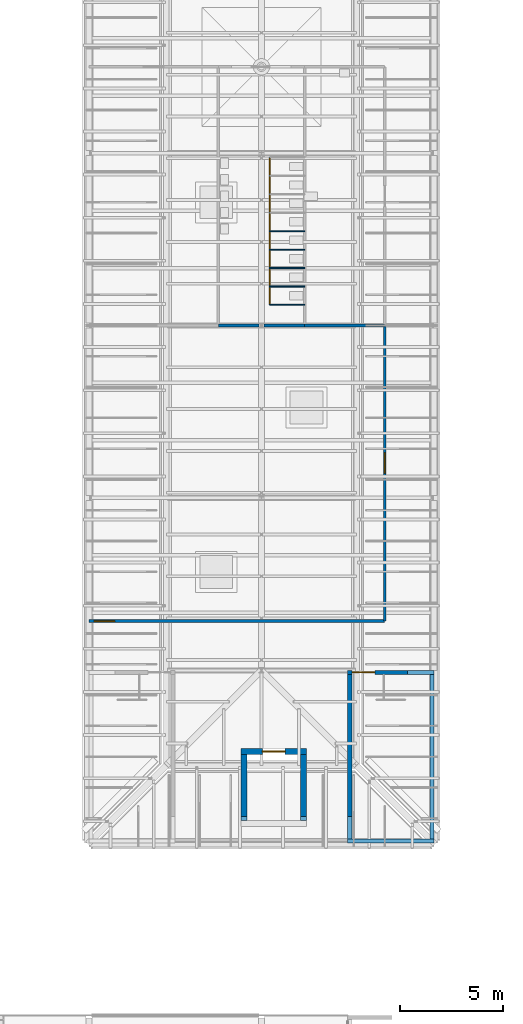
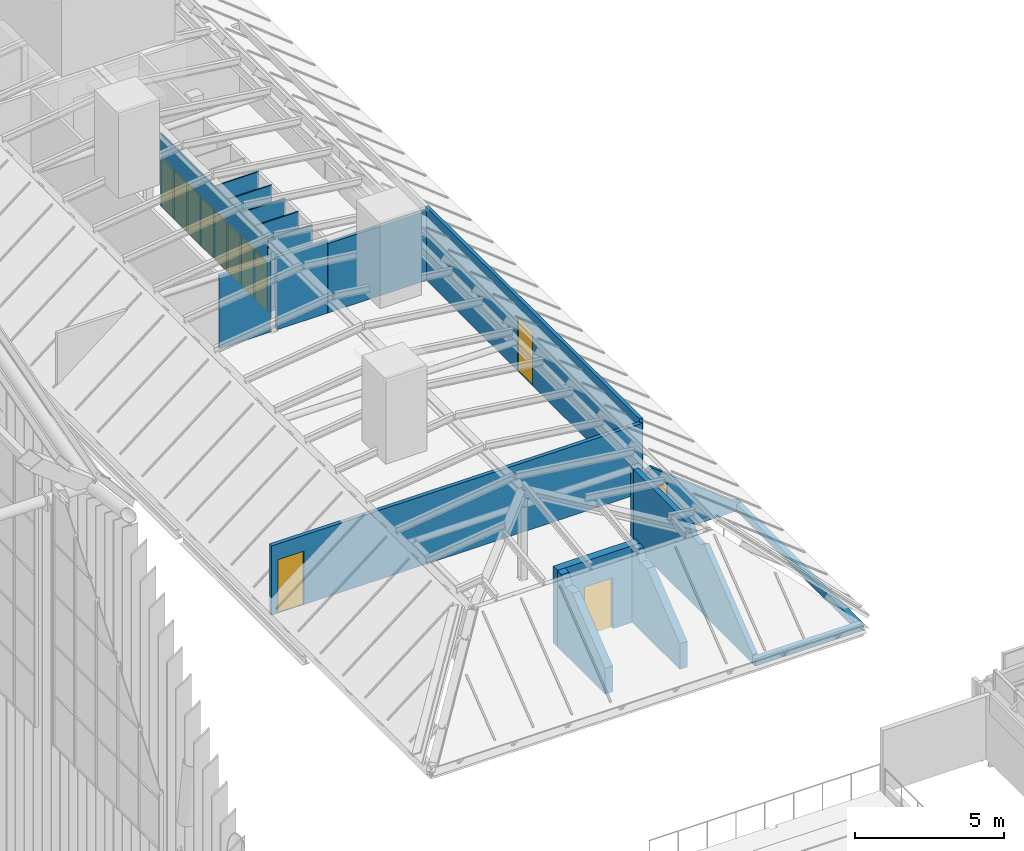
# One storey, part 81 of 126: 18 walls, 12 doors, 12 openings.
"""IFC4 building model written with IfcOpenShell, lengths in metres."""

import ifcopenshell
import ifcopenshell.guid

model = None  # the IFC model being written
_history = None  # IfcOwnerHistory: only IFC2X3 demands one
_inside = {}  # id of a spatial element -> (the spatial element, [elements in it])
_under = {}  # id of a project, library or spatial element -> (it, [spatial elements below it])
_declared = {}  # id of a project -> (the project, [libraries it declares])
_typed = {}  # id of a type object -> (the type object, [elements of that type])
_made_of = {}  # id of a material, layer set ... -> (it, [elements and type objects made of it])


def new_model(schema):
    """Start an empty IFC model of exactly this schema.

    Asked for "IFC4X3", IfcOpenShell would pick the latest addendum, in which some entities
    have other attributes; the version numbers below select the first issue.
    IFC2X3 requires an IfcOwnerHistory on every rooted entity: one is made here for all.
    """
    global model, _history
    if schema == "IFC4X3":
        model = ifcopenshell.file(schema_version=(4, 3, 0, 0))
    else:
        model = ifcopenshell.file(schema=schema)
    _inside.clear()
    _under.clear()
    _declared.clear()
    _typed.clear()
    _made_of.clear()
    _history = None
    if model.schema == "IFC2X3":
        org = make("IfcOrganization", Name="unknown")
        user = make(
            "IfcPersonAndOrganization",
            ThePerson=make("IfcPerson", FamilyName="unknown"),
            TheOrganization=org,
        )
        app = make(
            "IfcApplication",
            ApplicationDeveloper=org,
            Version="unknown",
            ApplicationFullName="unknown",
            ApplicationIdentifier="unknown",
        )
        _history = make(
            "IfcOwnerHistory",
            OwningUser=user,
            OwningApplication=app,
            ChangeAction="ADDED",
            CreationDate=0,
        )
    return model


def make(cls, **values):
    """One entity of the class cls with the attributes given. An attribute that is None is left unset."""
    return model.create_entity(
        cls, **{name: value for name, value in values.items() if value is not None}
    )


def rooted(cls, **values):
    """An entity with a GlobalId (a new one), such as an element, a storey or a relation."""
    return make(cls, GlobalId=ifcopenshell.guid.new(), OwnerHistory=_history, **values)


def si_unit(unit_type, name, prefix=None):
    """IfcSIUnit, for example si_unit("LENGTHUNIT", "METRE", prefix="MILLI")."""
    return make("IfcSIUnit", UnitType=unit_type, Prefix=prefix, Name=name)


def assignment(units):
    """IfcUnitAssignment: the units of a project."""
    return None if units is None else make("IfcUnitAssignment", Units=units)


def point(xyz):
    """IfcCartesianPoint."""
    return None if xyz is None else make("IfcCartesianPoint", Coordinates=xyz)


def direction(xyz):
    """IfcDirection."""
    return None if xyz is None else make("IfcDirection", DirectionRatios=xyz)


def frame(location, z_axis=None, x_axis=None):
    """IfcAxis2Placement3D, a coordinate frame: its origin and axes. An axis left out is left unset."""
    return make(
        "IfcAxis2Placement3D",
        Location=point(location),
        Axis=direction(z_axis),
        RefDirection=direction(x_axis),
    )


def frame_2d(location, x_axis=None):
    """IfcAxis2Placement2D, a coordinate frame in the plane: its origin and x axis."""
    return make(
        "IfcAxis2Placement2D", Location=point(location), RefDirection=direction(x_axis)
    )


def origin():
    """The frame at (0, 0, 0) with its axes left unset."""
    return frame((0.0, 0.0, 0.0))


def place(relative_to, where):
    """IfcLocalPlacement: puts the frame where relative to a parent placement (None: the world)."""
    return make(
        "IfcLocalPlacement", PlacementRelTo=relative_to, RelativePlacement=where
    )


def context(
    kind, dimensions, precision=None, world=None, true_north=None, identifier=None
):
    """IfcGeometricRepresentationContext, for example the 3D "Model" context."""
    return make(
        "IfcGeometricRepresentationContext",
        ContextIdentifier=identifier,
        ContextType=kind,
        CoordinateSpaceDimension=dimensions,
        Precision=precision,
        WorldCoordinateSystem=world,
        TrueNorth=true_north,
    )


def subcontext(parent, identifier, kind, view, scale=None):
    """IfcGeometricRepresentationSubContext, for example "Body" below "Model"."""
    return make(
        "IfcGeometricRepresentationSubContext",
        ContextIdentifier=identifier,
        ContextType=kind,
        ParentContext=parent,
        TargetScale=scale,
        TargetView=view,
    )


def project(units=None, contexts=None):
    """IfcProject with its units and contexts."""
    return rooted(
        "IfcProject",
        Name="project",
        RepresentationContexts=contexts,
        UnitsInContext=assignment(units),
    )


def spatial(cls, under=None, at=None, **own):
    """A site, building, storey or space (cls), placed at a placement, below another one or the project."""
    s = rooted(cls, ObjectPlacement=at, **own)
    if under is not None:
        _under.setdefault(under.id(), (under, []))[1].append(s)
    return s


def polyline(points):
    """IfcPolyline through the points."""
    return make("IfcPolyline", Points=[point(p) for p in points])


def profile(cls, at=None, kind="AREA", **sizes):
    """A parametric profile (cls). Its sizes go by their IFC names, for example OverallWidth=200.0."""
    return make(cls, ProfileType=kind, Position=at, **sizes)


def rectangle(**sizes):
    """IfcRectangleProfileDef."""
    return profile("IfcRectangleProfileDef", **sizes)


def outline(outer, holes=None, kind="AREA"):
    """IfcArbitraryClosedProfileDef: a profile drawn as a closed curve; with holes, ...WithVoids."""
    if holes is None:
        return make("IfcArbitraryClosedProfileDef", ProfileType=kind, OuterCurve=outer)
    return make(
        "IfcArbitraryProfileDefWithVoids",
        ProfileType=kind,
        OuterCurve=outer,
        InnerCurves=holes,
    )


def extrude(swept, where, along, depth):
    """IfcExtrudedAreaSolid: the profile swept, set in the frame where, extruded along a direction by depth."""
    return make(
        "IfcExtrudedAreaSolid",
        SweptArea=swept,
        Position=where,
        ExtrudedDirection=direction(along),
        Depth=depth,
    )


def shape(context_of_items, identifier, shape_type, items):
    """IfcShapeRepresentation: the items that make up one representation, for example the "Body"."""
    return make(
        "IfcShapeRepresentation",
        ContextOfItems=context_of_items,
        RepresentationIdentifier=identifier,
        RepresentationType=shape_type,
        Items=items,
    )


def material(Name=None, Category=None):
    """IfcMaterial."""
    return make("IfcMaterial", Name=Name, Category=Category)


def layer(
    of_material, thickness, ventilated=None, Name=None, Category=None, Priority=None
):
    """IfcMaterialLayer: one layer of a wall or slab, of a material (None: an air gap)."""
    return make(
        "IfcMaterialLayer",
        Material=of_material,
        LayerThickness=thickness,
        IsVentilated=ventilated,
        Name=Name,
        Category=Category,
        Priority=Priority,
    )


def layer_set(layers, Name=None):
    """IfcMaterialLayerSet."""
    return make("IfcMaterialLayerSet", MaterialLayers=layers, LayerSetName=Name)


def made_of(thing, what):
    """Note that an element or type object is made of a material, layer set ...; save() writes the relation."""
    if what is not None:
        _made_of.setdefault(what.id(), (what, []))[1].append(thing)
    return thing


def type_object(cls, material=None, **own):
    """A type object (cls), such as IfcWallType, which elements share."""
    return made_of(rooted(cls, **own), material)


def element(
    cls,
    number,
    at=None,
    inside=None,
    cuts=None,
    type_object=None,
    material=None,
    context=None,
    identifier="Body",
    shape_type=None,
    held_by="IfcProductDefinitionShape",
    body=None,
    shapes=None,
    **own,
):
    """One element of the class cls, such as IfcWall. Its Tag is "e" and its number.

    at: its placement. inside: the storey or other place that contains it. cuts: it is an
    opening in that element (IfcRelVoidsElement). A single representation is given by context,
    identifier, shape_type and body (its items); several are given by shapes. held_by: the class
    of the entity that holds the representations. save() writes the other relations.
    """
    e = rooted(cls, Tag="e%d" % number, ObjectPlacement=at, **own)
    if body is not None:
        shapes = [shape(context, identifier, shape_type, body)]
    if shapes is not None:
        e.Representation = make(held_by, Representations=shapes)
    if inside is not None:
        _inside.setdefault(inside.id(), (inside, []))[1].append(e)
    if cuts is not None:
        rooted(
            "IfcRelVoidsElement", RelatingBuildingElement=cuts, RelatedOpeningElement=e
        )
    if type_object is not None:
        _typed.setdefault(type_object.id(), (type_object, []))[1].append(e)
    return made_of(e, material)


def fill(opening, filler):
    """IfcRelFillsElement: the door or window that sits in an opening."""
    return rooted(
        "IfcRelFillsElement",
        RelatingOpeningElement=opening,
        RelatedBuildingElement=filler,
    )


def aggregate(whole, parts):
    """IfcRelAggregates: a whole, such as a stair, and the parts it consists of."""
    return rooted("IfcRelAggregates", RelatingObject=whole, RelatedObjects=parts)


def save(model, path):
    """Write the relations noted so far, then the file.

    IfcRelAggregates (storeys below a building ...), IfcRelContainedInSpatialStructure (elements
    in a storey), IfcRelDefinesByType, IfcRelAssociatesMaterial and IfcRelDeclares: one each for
    every whole, place, type object, material and project.
    """
    for whole, parts in _under.values():
        aggregate(whole, parts)
    for where, things in _inside.values():
        rooted(
            "IfcRelContainedInSpatialStructure",
            RelatedElements=things,
            RelatingStructure=where,
        )
    for kind, things in _typed.values():
        rooted("IfcRelDefinesByType", RelatedObjects=things, RelatingType=kind)
    for what, things in _made_of.values():
        rooted("IfcRelAssociatesMaterial", RelatedObjects=things, RelatingMaterial=what)
    for by, libraries in _declared.values():
        rooted("IfcRelDeclares", RelatingContext=by, RelatedDefinitions=libraries)
    model.write(path)


model = new_model("IFC4")

# Units and contexts
model_context = context("Model", 3, precision=1e-05, world=origin(), true_north=direction((0.0, 1.0)))
body_context = subcontext(model_context, "Body", "Model", "MODEL_VIEW")
ifc_project = project(units=[si_unit("LENGTHUNIT", "METRE"), si_unit("AREAUNIT", "SQUARE_METRE"), si_unit("VOLUMEUNIT", "CUBIC_METRE"), si_unit("PLANEANGLEUNIT", "RADIAN"), si_unit("MASSUNIT", "GRAM", prefix="KILO")], contexts=[model_context])

# Site, building, storey
site_placement = place(None, origin())
site = spatial("IfcSite", under=ifc_project, at=site_placement, CompositionType="ELEMENT")
building_placement = place(site_placement, origin())
building = spatial("IfcBuilding", under=site, at=building_placement, Name="Sava Quay Ferry Terminal", CompositionType="ELEMENT")
storey_placement = place(building_placement, frame((0.0, 0.0, 15.0)))
storey = spatial("IfcBuildingStorey", under=building, at=storey_placement, Name="L03", CompositionType="ELEMENT", Elevation=15.0)

# Wall, openings, doors
ifc_material_1 = material(Name="High-pressure laminate panel")
ifc_layer_1 = layer(ifc_material_1, 0.050048828125)
ifc_layer_set_1 = layer_set([ifc_layer_1], Name="High-pressure laminate panel")
wall_type_1 = type_object("IfcWallType", Name="Cubicle partition 50", PredefinedType="PARTITIONING", material=ifc_layer_set_1)
wall_1_placement = place(storey_placement, frame((101.199951171875, 85.0, 0.0), z_axis=(0.0, 0.0, 1.0), x_axis=(0.0, 1.0, 0.0)))
wall_1 = element("IfcWall", 1, at=wall_1_placement, inside=storey, type_object=wall_type_1, Name="Cubicle partition panel", PredefinedType="PARTITIONING", context=body_context, shape_type="SweptSolid", body=[
    extrude(rectangle(XDim=7.199951171875, YDim=0.050048828125, at=frame_2d((3.60009765625, 0.0))), origin(), (0.0, 0.0, 1.0), 3.0),
])
opening_1_placement = place(wall_1_placement, frame((0.050048828125, 0.0, 0.0)))
opening_1 = element("IfcOpeningElement", 2, at=opening_1_placement, cuts=wall_1, Name="Opening CD097", PredefinedType="OPENING", context=body_context, shape_type="SweptSolid", body=[
    extrude(rectangle(XDim=0.800048828125, YDim=2.0, at=frame_2d((0.39990234375, 1.0))), frame((0.0, 0.02490234375, 0.0), z_axis=(0.0, -1.0, 0.0), x_axis=(1.0, 0.0, 0.0)), (0.0, 0.0, 1.0), 0.050048828125),
])
opening_2_placement = place(wall_1_placement, frame((0.949951171875, 0.0, 0.0)))
opening_2 = element("IfcOpeningElement", 3, at=opening_2_placement, cuts=wall_1, Name="Opening CD098", PredefinedType="OPENING", context=body_context, shape_type="SweptSolid", body=[
    extrude(rectangle(XDim=0.800048828125, YDim=2.0, at=frame_2d((0.39990234375, 1.0))), frame((0.0, 0.02490234375, 0.0), z_axis=(0.0, -1.0, 0.0), x_axis=(1.0, 0.0, 0.0)), (0.0, 0.0, 1.0), 0.050048828125),
])
opening_3_placement = place(wall_1_placement, frame((1.85009765625, 0.0, 0.0)))
opening_3 = element("IfcOpeningElement", 4, at=opening_3_placement, cuts=wall_1, Name="Opening CD099", PredefinedType="OPENING", context=body_context, shape_type="SweptSolid", body=[
    extrude(rectangle(XDim=0.800048828125, YDim=2.0, at=frame_2d((0.39990234375, 1.0))), frame((0.0, 0.02490234375, 0.0), z_axis=(0.0, -1.0, 0.0), x_axis=(1.0, 0.0, 0.0)), (0.0, 0.0, 1.0), 0.050048828125),
])
opening_4_placement = place(wall_1_placement, frame((2.75, 0.0, 0.0)))
opening_4 = element("IfcOpeningElement", 5, at=opening_4_placement, cuts=wall_1, Name="Opening CD100", PredefinedType="OPENING", context=body_context, shape_type="SweptSolid", body=[
    extrude(rectangle(XDim=0.800048828125, YDim=2.0, at=frame_2d((0.39990234375, 1.0))), frame((0.0, 0.02490234375, 0.0), z_axis=(0.0, -1.0, 0.0), x_axis=(1.0, 0.0, 0.0)), (0.0, 0.0, 1.0), 0.050048828125),
])
opening_5_placement = place(wall_1_placement, frame((3.64990234375, 0.0, 0.0)))
opening_5 = element("IfcOpeningElement", 6, at=opening_5_placement, cuts=wall_1, Name="Opening CD101", PredefinedType="OPENING", context=body_context, shape_type="SweptSolid", body=[
    extrude(rectangle(XDim=0.800048828125, YDim=2.0, at=frame_2d((0.39990234375, 1.0))), frame((0.0, 0.02490234375, 0.0), z_axis=(0.0, -1.0, 0.0), x_axis=(1.0, 0.0, 0.0)), (0.0, 0.0, 1.0), 0.050048828125),
])
opening_6_placement = place(wall_1_placement, frame((4.550048828125, 0.0, 0.0)))
opening_6 = element("IfcOpeningElement", 7, at=opening_6_placement, cuts=wall_1, Name="Opening CD102", PredefinedType="OPENING", context=body_context, shape_type="SweptSolid", body=[
    extrude(rectangle(XDim=0.800048828125, YDim=2.0, at=frame_2d((0.39990234375, 1.0))), frame((0.0, 0.02490234375, 0.0), z_axis=(0.0, -1.0, 0.0), x_axis=(1.0, 0.0, 0.0)), (0.0, 0.0, 1.0), 0.050048828125),
])
opening_7_placement = place(wall_1_placement, frame((5.449951171875, 0.0, 0.0)))
opening_7 = element("IfcOpeningElement", 8, at=opening_7_placement, cuts=wall_1, Name="Opening CD103", PredefinedType="OPENING", context=body_context, shape_type="SweptSolid", body=[
    extrude(rectangle(XDim=0.800048828125, YDim=2.0, at=frame_2d((0.39990234375, 1.0))), frame((0.0, 0.02490234375, 0.0), z_axis=(0.0, -1.0, 0.0), x_axis=(1.0, 0.0, 0.0)), (0.0, 0.0, 1.0), 0.050048828125),
])
opening_8_placement = place(wall_1_placement, frame((6.35009765625, 0.0, 0.0)))
opening_8 = element("IfcOpeningElement", 9, at=opening_8_placement, cuts=wall_1, Name="Opening CD104", PredefinedType="OPENING", context=body_context, shape_type="SweptSolid", body=[
    extrude(rectangle(XDim=0.800048828125, YDim=2.0, at=frame_2d((0.39990234375, 1.0))), frame((0.0, 0.02490234375, 0.0), z_axis=(0.0, -1.0, 0.0), x_axis=(1.0, 0.0, 0.0)), (0.0, 0.0, 1.0), 0.050048828125),
])
ifc_material_2 = material(Name="Laminate door set")
door_type_1 = type_object("IfcDoorType", Name="Cubicle door 800 x 2000", OperationType="NOTDEFINED", PredefinedType="DOOR", material=ifc_material_2)
door_1_placement = place(opening_1_placement, origin())
door_1 = element("IfcDoor", 10, at=door_1_placement, inside=storey, type_object=door_type_1, Name="Cubicle door", OperationType="SINGLE_SWING_RIGHT", OverallHeight=2.0, OverallWidth=0.800048828125, PredefinedType="DOOR", context=body_context, shape_type="SweptSolid", body=[
    extrude(rectangle(XDim=0.800048828125, YDim=2.0, at=frame_2d((0.39990234375, 1.0))), frame((0.0, 0.02490234375, 0.0), z_axis=(0.0, -1.0, 0.0), x_axis=(1.0, 0.0, 0.0)), (0.0, 0.0, 1.0), 0.049560546875),
])
fill(opening_1, door_1)
door_2_placement = place(opening_2_placement, origin())
door_2 = element("IfcDoor", 11, at=door_2_placement, inside=storey, type_object=door_type_1, Name="Cubicle door", OperationType="SINGLE_SWING_LEFT", OverallHeight=2.0, OverallWidth=0.800048828125, PredefinedType="DOOR", context=body_context, shape_type="SweptSolid", body=[
    extrude(rectangle(XDim=0.800048828125, YDim=2.0, at=frame_2d((0.39990234375, 1.0))), frame((0.0, 0.02490234375, 0.0), z_axis=(0.0, -1.0, 0.0), x_axis=(1.0, 0.0, 0.0)), (0.0, 0.0, 1.0), 0.049560546875),
])
fill(opening_2, door_2)
door_3_placement = place(opening_3_placement, origin())
door_3 = element("IfcDoor", 12, at=door_3_placement, inside=storey, type_object=door_type_1, Name="Cubicle door", OperationType="SINGLE_SWING_RIGHT", OverallHeight=2.0, OverallWidth=0.800048828125, PredefinedType="DOOR", context=body_context, shape_type="SweptSolid", body=[
    extrude(rectangle(XDim=0.800048828125, YDim=2.0, at=frame_2d((0.39990234375, 1.0))), frame((0.0, 0.02490234375, 0.0), z_axis=(0.0, -1.0, 0.0), x_axis=(1.0, 0.0, 0.0)), (0.0, 0.0, 1.0), 0.049560546875),
])
fill(opening_3, door_3)
door_4_placement = place(opening_4_placement, origin())
door_4 = element("IfcDoor", 13, at=door_4_placement, inside=storey, type_object=door_type_1, Name="Cubicle door", OperationType="SINGLE_SWING_LEFT", OverallHeight=2.0, OverallWidth=0.800048828125, PredefinedType="DOOR", context=body_context, shape_type="SweptSolid", body=[
    extrude(rectangle(XDim=0.800048828125, YDim=2.0, at=frame_2d((0.39990234375, 1.0))), frame((0.0, 0.02490234375, 0.0), z_axis=(0.0, -1.0, 0.0), x_axis=(1.0, 0.0, 0.0)), (0.0, 0.0, 1.0), 0.049560546875),
])
fill(opening_4, door_4)
door_5_placement = place(opening_5_placement, origin())
door_5 = element("IfcDoor", 14, at=door_5_placement, inside=storey, type_object=door_type_1, Name="Cubicle door", OperationType="SINGLE_SWING_RIGHT", OverallHeight=2.0, OverallWidth=0.800048828125, PredefinedType="DOOR", context=body_context, shape_type="SweptSolid", body=[
    extrude(rectangle(XDim=0.800048828125, YDim=2.0, at=frame_2d((0.39990234375, 1.0))), frame((0.0, 0.02490234375, 0.0), z_axis=(0.0, -1.0, 0.0), x_axis=(1.0, 0.0, 0.0)), (0.0, 0.0, 1.0), 0.049560546875),
])
fill(opening_5, door_5)
door_6_placement = place(opening_6_placement, origin())
door_6 = element("IfcDoor", 15, at=door_6_placement, inside=storey, type_object=door_type_1, Name="Cubicle door", OperationType="SINGLE_SWING_LEFT", OverallHeight=2.0, OverallWidth=0.800048828125, PredefinedType="DOOR", context=body_context, shape_type="SweptSolid", body=[
    extrude(rectangle(XDim=0.800048828125, YDim=2.0, at=frame_2d((0.39990234375, 1.0))), frame((0.0, 0.02490234375, 0.0), z_axis=(0.0, -1.0, 0.0), x_axis=(1.0, 0.0, 0.0)), (0.0, 0.0, 1.0), 0.049560546875),
])
fill(opening_6, door_6)
door_7_placement = place(opening_7_placement, origin())
door_7 = element("IfcDoor", 16, at=door_7_placement, inside=storey, type_object=door_type_1, Name="Cubicle door", OperationType="SINGLE_SWING_RIGHT", OverallHeight=2.0, OverallWidth=0.800048828125, PredefinedType="DOOR", context=body_context, shape_type="SweptSolid", body=[
    extrude(rectangle(XDim=0.800048828125, YDim=2.0, at=frame_2d((0.39990234375, 1.0))), frame((0.0, 0.02490234375, 0.0), z_axis=(0.0, -1.0, 0.0), x_axis=(1.0, 0.0, 0.0)), (0.0, 0.0, 1.0), 0.049560546875),
])
fill(opening_7, door_7)
door_8_placement = place(opening_8_placement, origin())
door_8 = element("IfcDoor", 17, at=door_8_placement, inside=storey, type_object=door_type_1, Name="Cubicle door", OperationType="SINGLE_SWING_LEFT", OverallHeight=2.0, OverallWidth=0.800048828125, PredefinedType="DOOR", context=body_context, shape_type="SweptSolid", body=[
    extrude(rectangle(XDim=0.800048828125, YDim=2.0, at=frame_2d((0.39990234375, 1.0))), frame((0.0, 0.02490234375, 0.0), z_axis=(0.0, -1.0, 0.0), x_axis=(1.0, 0.0, 0.0)), (0.0, 0.0, 1.0), 0.049560546875),
])
fill(opening_8, door_8)

# Walls
for number, where, z_axis, x_axis, name in (
    (18, (102.89990234375, 85.0, 0.0), (0.0, 0.0, 1.0), (-1.0, 0.0, 0.0), "Cubicle partition panel"),
    (19, (102.89990234375, 85.89990234375, 0.0), (0.0, 0.0, 1.0), (-1.0, 0.0, 0.0), "Cubicle partition panel"),
    (20, (102.89990234375, 86.800048828125, 0.0), (0.0, 0.0, 1.0), (-1.0, 0.0, 0.0), "Cubicle partition panel"),
    (21, (102.89990234375, 87.699951171875, 0.0), (0.0, 0.0, 1.0), (-1.0, 0.0, 0.0), "Cubicle partition panel"),
    (22, (102.89990234375, 88.60009765625, 0.0), (0.0, 0.0, 1.0), (-1.0, 0.0, 0.0), "Cubicle partition panel"),
):
    element("IfcWall", number, at=place(storey_placement, frame(where, z_axis=z_axis, x_axis=x_axis)), inside=storey, type_object=wall_type_1, Name=name, PredefinedType="PARTITIONING", context=body_context, shape_type="SweptSolid", body=[
        extrude(rectangle(XDim=1.699951171875, YDim=0.050048828125, at=frame_2d((0.85009765625, 0.0))), origin(), (0.0, 0.0, 1.0), 3.0),
    ])

# Wall, opening, door
ifc_material_3 = material(Name="Masonry blockwork", Category="masonry")
ifc_layer_2 = layer(ifc_material_3, 0.14990234375)
ifc_layer_set_2 = layer_set([ifc_layer_2], Name="Masonry blockwork")
wall_type_2 = type_object("IfcWallType", Name="Plant, store and lobby wall, blockwork 150", PredefinedType="PARTITIONING", material=ifc_layer_set_2)
wall_2_placement = place(storey_placement, frame((92.39990234375, 69.60009765625, 0.0), z_axis=(0.0, 0.0, 1.0), x_axis=(1.0, 0.0, 0.0)))
wall_2 = element("IfcWall", 23, at=wall_2_placement, inside=storey, type_object=wall_type_2, Name="Plant, store and lobby wall, blockwork 150", PredefinedType="PARTITIONING", context=body_context, shape_type="SweptSolid", body=[
    extrude(rectangle(XDim=14.400146484375, YDim=0.14990234375, at=frame_2d((7.2001953125, 0.0))), origin(), (0.0, 0.0, 1.0), 2.85009765625),
])
opening_9_placement = place(wall_2_placement, frame((0.25, 0.0, 0.0)))
opening_9 = element("IfcOpeningElement", 24, at=opening_9_placement, cuts=wall_2, Name="Opening D0307", PredefinedType="OPENING", context=body_context, shape_type="SweptSolid", body=[
    extrude(rectangle(XDim=1.0, YDim=2.199951171875, at=frame_2d((0.5, 1.10009765625))), frame((0.0, 0.074951171875, 0.0), z_axis=(0.0, -1.0, 0.0), x_axis=(1.0, 0.0, 0.0)), (0.0, 0.0, 1.0), 0.14990234375),
])
ifc_material_4 = material(Name="Timber door set", Category="wood")
door_type_2 = type_object("IfcDoorType", Name="Single door 1000 x 2200", OperationType="NOTDEFINED", PredefinedType="DOOR", material=ifc_material_4)
door_9_placement = place(opening_9_placement, origin())
door_9 = element("IfcDoor", 25, at=door_9_placement, inside=storey, type_object=door_type_2, Name="Door D0307", OperationType="SINGLE_SWING_LEFT", OverallHeight=2.199951171875, OverallWidth=1.0, PredefinedType="DOOR", context=body_context, shape_type="SweptSolid", body=[
    extrude(rectangle(XDim=1.0, YDim=2.199951171875, at=frame_2d((0.5, 1.10009765625))), frame((0.0, 0.02490234375, 0.0), z_axis=(0.0, -1.0, 0.0), x_axis=(1.0, 0.0, 0.0)), (0.0, 0.0, 1.0), 0.050048828125),
])
fill(opening_9, door_9)

# Wall
ifc_material_5 = material(Name="Concrete C35/45", Category="concrete")
ifc_layer_3 = layer(ifc_material_5, 0.199951171875)
ifc_layer_set_3 = layer_set([ifc_layer_3], Name="Concrete C35/45")
wall_type_3 = type_object("IfcWallType", Name="RC core wall 200", PredefinedType="SHEAR", material=ifc_layer_set_3)
wall_3_placement = place(storey_placement, frame((105.0, 58.89990234375, 0.0), z_axis=(0.0, 0.0, 1.0), x_axis=(1.0, 0.0, 0.0)))
element("IfcWall", 26, at=wall_3_placement, inside=storey, type_object=wall_type_3, Name="Core wall ST-O2 S L03", PredefinedType="SHEAR", context=body_context, shape_type="SweptSolid", body=[
    extrude(outline(polyline([(0.0, 0.0), (4.199951171875, 0.0), (4.199951171875, 0.300048828125), (0.0, 0.300048828125), (0.0, 0.0)])), frame((0.0, 0.10009765625, 0.0), z_axis=(0.0, -1.0, 0.0), x_axis=(1.0, 0.0, 0.0)), (0.0, 0.0, 1.0), 0.199951171875),
])

# Wall, opening, door
wall_4_placement = place(storey_placement, frame((105.0, 67.10009765625, 0.0), z_axis=(0.0, 0.0, 1.0), x_axis=(1.0, 0.0, 0.0)))
wall_4 = element("IfcWall", 27, at=wall_4_placement, inside=storey, type_object=wall_type_3, Name="Core wall ST-O2 N L03", PredefinedType="SHEAR", context=body_context, shape_type="SweptSolid", body=[
    extrude(outline(polyline([(0.0, 0.0), (4.199951171875, 0.0), (4.199951171875, 0.300048828125), (3.952880859375, 0.393310546875), (0.7412109375, 2.9169921875), (0.494140625, 2.7548828125), (0.2470703125, 2.7548828125), (0.0, 3.139892578125), (0.0, 0.0)])), frame((0.0, 0.10009765625, 0.0), z_axis=(0.0, -1.0, 0.0), x_axis=(1.0, 0.0, 0.0)), (0.0, 0.0, 1.0), 0.199951171875),
])
opening_10_placement = place(wall_4_placement, frame((0.219970703125, 0.0, 0.0)))
opening_10 = element("IfcOpeningElement", 28, at=opening_10_placement, cuts=wall_4, Name="Opening DS0305", PredefinedType="OPENING", context=body_context, shape_type="SweptSolid", body=[
    extrude(rectangle(XDim=1.10009765625, YDim=2.10009765625, at=frame_2d((0.550048828125, 1.050048828125))), frame((0.0, 0.10009765625, 0.0), z_axis=(0.0, -1.0, 0.0), x_axis=(1.0, 0.0, 0.0)), (0.0, 0.0, 1.0), 0.199951171875),
])
ifc_material_6 = material(Name="Steel fire door set", Category="steel")
door_type_3 = type_object("IfcDoorType", Name="Stair fire door 1100 x 2100", OperationType="NOTDEFINED", PredefinedType="DOOR", material=ifc_material_6)
door_10_placement = place(opening_10_placement, origin())
door_10 = element("IfcDoor", 29, at=door_10_placement, inside=storey, type_object=door_type_3, Name="Door DS0305", OperationType="SINGLE_SWING_LEFT", OverallHeight=2.10009765625, OverallWidth=1.10009765625, PredefinedType="DOOR", context=body_context, shape_type="SweptSolid", body=[
    extrude(rectangle(XDim=1.10009765625, YDim=2.10009765625, at=frame_2d((0.550048828125, 1.050048828125))), frame((0.0, 0.02490234375, 0.0), z_axis=(0.0, -1.0, 0.0), x_axis=(1.0, 0.0, 0.0)), (0.0, 0.0, 1.0), 0.050048828125),
])
fill(opening_10, door_10)

# Walls
wall_5_placement = place(storey_placement, frame((105.10009765625, 59.0, 0.0), z_axis=(0.0, 0.0, 1.0), x_axis=(0.0, 1.0, 0.0)))
element("IfcWall", 30, at=wall_5_placement, inside=storey, type_object=wall_type_3, Name="Core wall ST-O2 W L03", PredefinedType="SHEAR", context=body_context, shape_type="SweptSolid", body=[
    extrude(outline(polyline([(0.0, 0.0), (8.0, 0.0), (8.0, 3.114013671875), (4.25, 3.114013671875), (4.0, 2.7919921875), (3.75, 2.7548828125), (3.5, 2.7548828125), (3.25, 2.909912109375), (0.0, 0.3564453125), (0.0, 0.0)])), frame((0.0, 0.10009765625, 0.0), z_axis=(0.0, -1.0, 0.0), x_axis=(1.0, 0.0, 0.0)), (0.0, 0.0, 1.0), 0.199951171875),
])
wall_6_placement = place(storey_placement, frame((109.10009765625, 59.0, 0.0), z_axis=(0.0, 0.0, 1.0), x_axis=(0.0, 1.0, 0.0)))
element("IfcWall", 31, at=wall_6_placement, inside=storey, type_object=wall_type_3, Name="Core wall ST-O2 E L03", PredefinedType="SHEAR", context=body_context, shape_type="SweptSolid", body=[
    extrude(outline(polyline([(0.0, 0.0), (8.0, 0.0), (8.0, 0.300048828125), (0.0, 0.300048828125), (0.0, 0.0)])), frame((0.0, 0.10009765625, 0.0), z_axis=(0.0, -1.0, 0.0), x_axis=(1.0, 0.0, 0.0)), (0.0, 0.0, 1.0), 0.199951171875),
])

# Wall, opening, door
ifc_material_7 = material(Name="Concrete C35/45", Category="concrete")
ifc_layer_4 = layer(ifc_material_7, 0.300048828125)
ifc_layer_set_4 = layer_set([ifc_layer_4], Name="Concrete C35/45")
wall_type_4 = type_object("IfcWallType", Name="RC core wall 300", PredefinedType="SHEAR", material=ifc_layer_set_4)
wall_7_placement = place(storey_placement, frame((99.800048828125, 63.25, 0.0), z_axis=(0.0, 0.0, 1.0), x_axis=(1.0, 0.0, 0.0)))
wall_7 = element("IfcWall", 32, at=wall_7_placement, inside=storey, type_object=wall_type_4, Name="Core wall LF-O1 N L03", PredefinedType="SHEAR", context=body_context, shape_type="SweptSolid", body=[
    extrude(outline(polyline([(0.0, 0.0), (3.199951171875, 0.0), (3.199951171875, 3.153076171875), (0.0, 3.153076171875), (0.0, 0.0)])), frame((0.0, 0.14990234375, 0.0), z_axis=(0.0, -1.0, 0.0), x_axis=(1.0, 0.0, 0.0)), (0.0, 0.0, 1.0), 0.300048828125),
])
opening_11_placement = place(wall_7_placement, frame((1.050048828125, 0.0, 0.0)))
opening_11 = element("IfcOpeningElement", 33, at=opening_11_placement, cuts=wall_7, Name="Opening LD0303", PredefinedType="OPENING", context=body_context, shape_type="SweptSolid", body=[
    extrude(rectangle(XDim=1.10009765625, YDim=2.10009765625, at=frame_2d((0.550048828125, 1.050048828125))), frame((0.0, 0.14990234375, 0.0), z_axis=(0.0, -1.0, 0.0), x_axis=(1.0, 0.0, 0.0)), (0.0, 0.0, 1.0), 0.300048828125),
])
ifc_material_8 = material(Name="Stainless steel", Category="steel")
door_type_4 = type_object("IfcDoorType", Name="Lift landing door 1100 x 2100", OperationType="NOTDEFINED", PredefinedType="DOOR", material=ifc_material_8)
door_11_placement = place(opening_11_placement, origin())
door_11 = element("IfcDoor", 34, at=door_11_placement, inside=storey, type_object=door_type_4, Name="Door LD0303", OperationType="SLIDING_TO_LEFT", OverallHeight=2.10009765625, OverallWidth=1.10009765625, PredefinedType="DOOR", context=body_context, shape_type="SweptSolid", body=[
    extrude(rectangle(XDim=1.10009765625, YDim=2.10009765625, at=frame_2d((0.550048828125, 1.050048828125))), frame((0.0, 0.02490234375, 0.0), z_axis=(0.0, -1.0, 0.0), x_axis=(1.0, 0.0, 0.0)), (0.0, 0.0, 1.0), 0.050048828125),
])
fill(opening_11, door_11)

# Walls
for number, where, z_axis, x_axis, name in (
    (35, (99.949951171875, 59.89990234375, 0.0), (0.0, 0.0, 1.0), (0.0, 1.0, 0.0), "Core wall LF-O1 W L03"),
    (36, (102.85009765625, 59.89990234375, 0.0), (0.0, 0.0, 1.0), (0.0, 1.0, 0.0), "Core wall LF-O1 E L03"),
):
    element("IfcWall", number, at=place(storey_placement, frame(where, z_axis=z_axis, x_axis=x_axis)), inside=storey, type_object=wall_type_4, Name=name, PredefinedType="SHEAR", context=body_context, shape_type="SweptSolid", body=[
        extrude(outline(polyline([(0.0, 0.0), (3.2001953125, 0.0), (3.199951171875, 3.153076171875), (2.953857421875, 3.120849609375), (2.707763671875, 2.7548828125), (2.46142578125, 2.80419921875), (2.21533203125, 2.80419921875), (0.0, 1.063720703125), (0.0, 0.0)])), frame((0.0, 0.14990234375, 0.0), z_axis=(0.0, -1.0, 0.0), x_axis=(1.0, 0.0, 0.0)), (0.0, 0.0, 1.0), 0.300048828125),
    ])

# Wall, opening, door
ifc_material_9 = material(Name="Plasterboard on steel studs", Category="steel")
ifc_layer_5 = layer(ifc_material_9, 0.125)
ifc_layer_set_5 = layer_set([ifc_layer_5], Name="Plasterboard on steel studs")
wall_type_5 = type_object("IfcWallType", Name="Room partition, plasterboard on steel studs 125", PredefinedType="PARTITIONING", material=ifc_layer_set_5)
wall_8_placement = place(storey_placement, frame((106.800048828125, 69.60009765625, 0.0), z_axis=(0.0, 0.0, 1.0), x_axis=(0.0, 1.0, 0.0)))
wall_8 = element("IfcWall", 37, at=wall_8_placement, inside=storey, type_object=wall_type_5, Name="Room partition, plasterboard on steel studs 125", PredefinedType="PARTITIONING", context=body_context, shape_type="SweptSolid", body=[
    extrude(rectangle(XDim=14.39990234375, YDim=0.125, at=frame_2d((7.199951171875, 0.0))), origin(), (0.0, 0.0, 1.0), 3.0),
])
opening_12_placement = place(wall_8_placement, frame((7.199951171875, 0.0, 0.0)))
opening_12 = element("IfcOpeningElement", 38, at=opening_12_placement, cuts=wall_8, Name="Opening D0306", PredefinedType="OPENING", context=body_context, shape_type="SweptSolid", body=[
    extrude(rectangle(XDim=1.0, YDim=2.199951171875, at=frame_2d((0.5, 1.10009765625))), frame((0.0, 0.0625, 0.0), z_axis=(0.0, -1.0, 0.0), x_axis=(1.0, 0.0, 0.0)), (0.0, 0.0, 1.0), 0.125),
])
door_12_placement = place(opening_12_placement, origin())
door_12 = element("IfcDoor", 39, at=door_12_placement, inside=storey, type_object=door_type_2, Name="Door D0306", OperationType="SINGLE_SWING_LEFT", OverallHeight=2.199951171875, OverallWidth=1.0, PredefinedType="DOOR", context=body_context, shape_type="SweptSolid", body=[
    extrude(rectangle(XDim=1.0, YDim=2.199951171875, at=frame_2d((0.5, 1.10009765625))), frame((0.0, 0.02490234375, 0.0), z_axis=(0.0, -1.0, 0.0), x_axis=(1.0, 0.0, 0.0)), (0.0, 0.0, 1.0), 0.050048828125),
])
fill(opening_12, door_12)

# Walls
ifc_material_10 = material(Name="Moisture-resistant board on steel studs", Category="steel")
ifc_layer_6 = layer(ifc_material_10, 0.125)
ifc_layer_set_6 = layer_set([ifc_layer_6], Name="Moisture-resistant board on steel studs")
wall_type_6 = type_object("IfcWallType", Name="Toilet partition, moisture-resistant board 125", PredefinedType="PARTITIONING", material=ifc_layer_set_6)
for number, where, z_axis, x_axis, name in (
    (40, (98.699951171875, 84.0, 0.0), (0.0, 0.0, 1.0), (1.0, 0.0, 0.0), "Toilet partition, moisture-resistant board 125"),
    (41, (100.919921875, 84.0, 0.0), (0.0, 0.0, 1.0), (1.0, 0.0, 0.0), "Toilet partition, moisture-resistant board 125"),
):
    element("IfcWall", number, at=place(storey_placement, frame(where, z_axis=z_axis, x_axis=x_axis)), inside=storey, type_object=wall_type_6, Name=name, PredefinedType="PARTITIONING", context=body_context, shape_type="SweptSolid", body=[
        extrude(rectangle(XDim=1.97998046875, YDim=0.125, at=frame_2d((0.989990234375, 0.0))), origin(), (0.0, 0.0, 1.0), 3.0),
    ])
wall_9_placement = place(storey_placement, frame((102.89990234375, 84.0, 0.0), z_axis=(0.0, 0.0, 1.0), x_axis=(1.0, 0.0, 0.0)))
element("IfcWall", 42, at=wall_9_placement, inside=storey, type_object=wall_type_6, Name="Toilet partition, moisture-resistant board 125", PredefinedType="PARTITIONING", context=body_context, shape_type="SweptSolid", body=[
    extrude(rectangle(XDim=3.900146484375, YDim=0.125, at=frame_2d((1.9501953125, 0.0))), origin(), (0.0, 0.0, 1.0), 2.85009765625),
])

save(model, "model.ifc")
